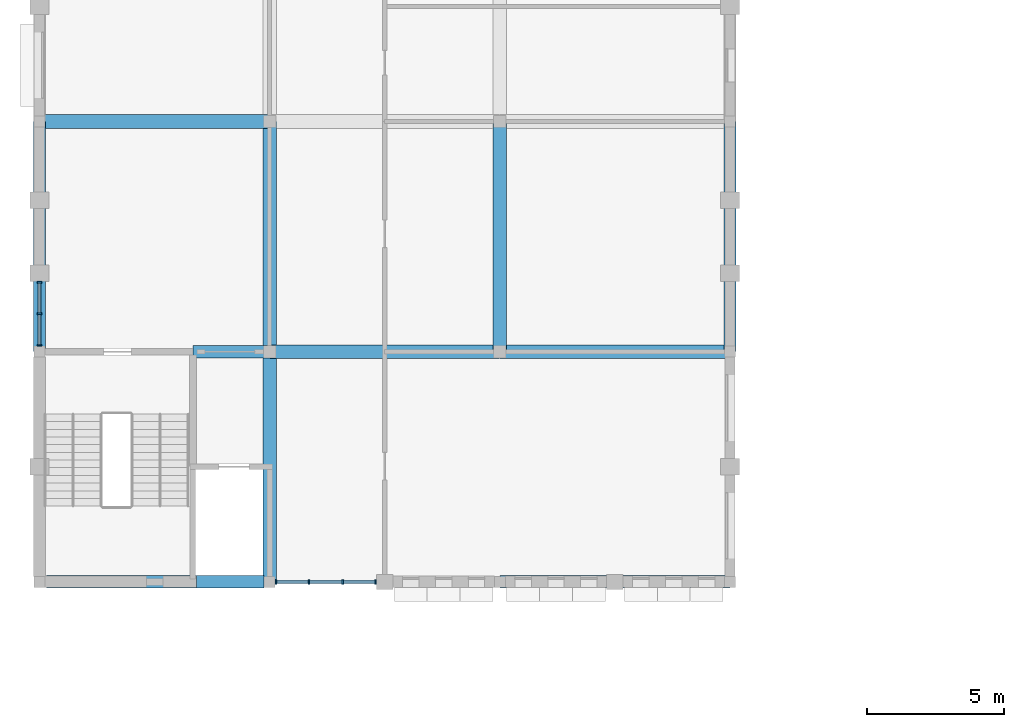
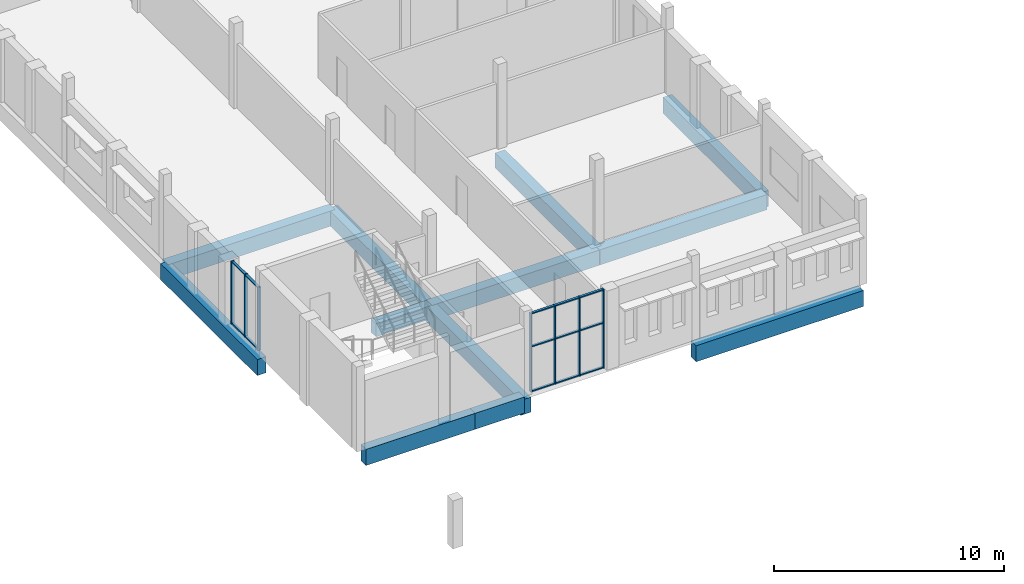
# One storey, part 3 of 30: 20 members, 12 beams, 2 elements without a shape of their own.
"""IFC4 building model written with IfcOpenShell, lengths in metres."""

from ifc_helpers import new_model, si_unit, direction, frame, origin, origin_2d, place, context, subcontext, project, spatial, rectangle, extrude, material, material_profile, profile_set, type_object, element, aggregate, save


model = new_model("IFC4")

# Units and contexts
model_context = context("Model", 3, precision=1e-05, world=origin(), true_north=direction((0.0, 1.0)))
body_context = subcontext(model_context, "Body", "Model", "MODEL_VIEW")
ifc_project = project(units=[si_unit("LENGTHUNIT", "METRE"), si_unit("AREAUNIT", "SQUARE_METRE"), si_unit("VOLUMEUNIT", "CUBIC_METRE"), si_unit("PLANEANGLEUNIT", "RADIAN"), si_unit("MASSUNIT", "GRAM", prefix="KILO")], contexts=[model_context])

# Site, building, storey
site_placement = place(None, origin())
site = spatial("IfcSite", under=ifc_project, at=site_placement, CompositionType="ELEMENT")
building_placement = place(site_placement, origin())
building = spatial("IfcBuilding", under=site, at=building_placement, Name="Fescue Hill Polytechnic", CompositionType="ELEMENT")
storey_placement = place(building_placement, frame((0.0, 0.0, 22.5)))
storey = spatial("IfcBuildingStorey", under=building, at=storey_placement, Name="L05", CompositionType="ELEMENT", Elevation=22.5)

# Beams
ifc_material_1 = material(Name="Concrete 35 MPa", Category="concrete")
ifc_material_profile_1 = material_profile(ifc_material_1, rectangle(XDim=0.449951171875, YDim=0.699951171875, at=origin_2d()), Name="RC 450x700")
ifc_profile_set_1 = profile_set([ifc_material_profile_1], Name="Concrete 35 MPa")
beam_type_1 = type_object("IfcBeamType", Name="Beam RC 450x700", PredefinedType="BEAM", material=ifc_profile_set_1)
beam_1_placement = place(storey_placement, frame((5.60009765625, 58.800048828125, -0.64990234375), z_axis=(1.0, 0.0, 0.0), x_axis=(0.0, 1.0, 0.0)))
element("IfcBeam", 1, at=beam_1_placement, inside=storey, type_object=beam_type_1, Name="BM-L05-0014", PredefinedType="BEAM", context=body_context, shape_type="SweptSolid", body=[
    extrude(rectangle(XDim=0.449951171875, YDim=0.699951171875, at=origin_2d()), origin(), (0.0, 0.0, 1.0), 2.789794921875),
])
ifc_material_profile_2 = material_profile(ifc_material_1, rectangle(XDim=0.449951171875, YDim=0.85009765625, at=origin_2d()), Name="RC 450x850")
ifc_profile_set_2 = profile_set([ifc_material_profile_2], Name="Concrete 35 MPa")
beam_type_2 = type_object("IfcBeamType", Name="Beam RC 450x850", PredefinedType="BEAM", material=ifc_profile_set_2)
for number, where, z_axis, x_axis, name in (
    (2, (0.0, 58.800048828125, -0.72509765625), (0.0, 1.0, 0.0), (-1.0, 0.0, 0.0), "BM-L05-0001"),
    (3, (16.800048828125, 50.39990234375, -0.72509765625), (1.0, 0.0, 0.0), (0.0, 1.0, 0.0), "BM-L05-0032"),
    (4, (25.199951171875, 58.800048828125, -0.72509765625), (0.0, 1.0, 0.0), (-1.0, 0.0, 0.0), "BM-L05-0051"),
):
    element("IfcBeam", number, at=place(storey_placement, frame(where, z_axis=z_axis, x_axis=x_axis)), inside=storey, type_object=beam_type_2, Name=name, PredefinedType="BEAM", context=body_context, shape_type="SweptSolid", body=[
        extrude(rectangle(XDim=0.449951171875, YDim=0.85009765625, at=origin_2d()), origin(), (0.0, 0.0, 1.0), 8.39990234375),
    ])
beam_2_placement = place(storey_placement, frame((0.25, 50.39990234375, -0.425048828125), z_axis=(1.0, 0.0, 0.0), x_axis=(0.0, 1.0, 0.0)))
element("IfcBeam", 5, at=beam_2_placement, inside=storey, type_object=beam_type_2, Name="BM-L05-0107", PredefinedType="BEAM", context=body_context, shape_type="SweptSolid", body=[
    extrude(rectangle(XDim=0.449951171875, YDim=0.85009765625, at=origin_2d()), origin(), (0.0, 0.0, 1.0), 5.47509765625),
])
beam_3_placement = place(storey_placement, frame((5.72509765625, 50.39990234375, -0.425048828125), z_axis=(1.0, 0.0, 0.0), x_axis=(0.0, 1.0, 0.0)))
element("IfcBeam", 6, at=beam_3_placement, inside=storey, type_object=beam_type_2, Name="BM-L05-0108", PredefinedType="BEAM", context=body_context, shape_type="SweptSolid", body=[
    extrude(rectangle(XDim=0.449951171875, YDim=0.85009765625, at=origin_2d()), origin(), (0.0, 0.0, 1.0), 2.474853515625),
])
ifc_material_profile_3 = material_profile(ifc_material_1, rectangle(XDim=0.5, YDim=0.800048828125, at=origin_2d()), Name="RC 500x800")
ifc_profile_set_3 = profile_set([ifc_material_profile_3], Name="Concrete 35 MPa")
beam_type_3 = type_object("IfcBeamType", Name="Beam RC 500x800", PredefinedType="BEAM", material=ifc_profile_set_3)
beam_4_placement = place(storey_placement, frame((0.010009765625, 67.199951171875, -0.699951171875), z_axis=(1.0, 0.0, 0.0), x_axis=(0.0, 1.0, 0.0)))
element("IfcBeam", 7, at=beam_4_placement, inside=storey, type_object=beam_type_3, Name="BM-L05-0008", PredefinedType="BEAM", context=body_context, shape_type="SweptSolid", body=[
    extrude(rectangle(XDim=0.5, YDim=0.800048828125, at=origin_2d()), origin(), (0.0, 0.0, 1.0), 8.3798828125),
])
beam_5_placement = place(storey_placement, frame((8.39990234375, 50.39990234375, -0.699951171875), z_axis=(0.0, 1.0, 0.0), x_axis=(-1.0, 0.0, 0.0)))
element("IfcBeam", 8, at=beam_5_placement, inside=storey, type_object=beam_type_3, Name="BM-L05-0016", PredefinedType="BEAM", context=body_context, shape_type="SweptSolid", body=[
    extrude(rectangle(XDim=0.5, YDim=0.800048828125, at=origin_2d()), origin(), (0.0, 0.0, 1.0), 8.400146484375),
])
beam_6_placement = place(storey_placement, frame((8.39990234375, 58.800048828125, -0.699951171875), z_axis=(0.0, 1.0, 0.0), x_axis=(-1.0, 0.0, 0.0)))
element("IfcBeam", 9, at=beam_6_placement, inside=storey, type_object=beam_type_3, Name="BM-L05-0017", PredefinedType="BEAM", context=body_context, shape_type="SweptSolid", body=[
    extrude(rectangle(XDim=0.5, YDim=0.800048828125, at=origin_2d()), origin(), (0.0, 0.0, 1.0), 8.39990234375),
])
beam_7_placement = place(storey_placement, frame((8.409912109375, 58.800048828125, -0.699951171875), z_axis=(1.0, 0.0, 0.0), x_axis=(0.0, 1.0, 0.0)))
element("IfcBeam", 10, at=beam_7_placement, inside=storey, type_object=beam_type_3, Name="BM-L05-0024", PredefinedType="BEAM", context=body_context, shape_type="SweptSolid", body=[
    extrude(rectangle(XDim=0.5, YDim=0.800048828125, at=origin_2d()), origin(), (0.0, 0.0, 1.0), 8.380126953125),
])
beam_8_placement = place(storey_placement, frame((16.800048828125, 58.800048828125, -0.699951171875), z_axis=(0.0, 1.0, 0.0), x_axis=(-1.0, 0.0, 0.0)))
element("IfcBeam", 11, at=beam_8_placement, inside=storey, type_object=beam_type_3, Name="BM-L05-0033", PredefinedType="BEAM", context=body_context, shape_type="SweptSolid", body=[
    extrude(rectangle(XDim=0.5, YDim=0.800048828125, at=origin_2d()), origin(), (0.0, 0.0, 1.0), 8.39990234375),
])
beam_9_placement = place(storey_placement, frame((16.81005859375, 58.800048828125, -0.699951171875), z_axis=(1.0, 0.0, 0.0), x_axis=(0.0, 1.0, 0.0)))
element("IfcBeam", 12, at=beam_9_placement, inside=storey, type_object=beam_type_3, Name="BM-L05-0043", PredefinedType="BEAM", context=body_context, shape_type="SweptSolid", body=[
    extrude(rectangle(XDim=0.5, YDim=0.800048828125, at=origin_2d()), origin(), (0.0, 0.0, 1.0), 8.3798828125),
])

# Curtain wall, members
ifc_material_2 = material(Name="Glass", Category="glass")
curtain_wall_type = type_object("IfcCurtainWallType", Name="Curtain wall structural glazing", PredefinedType="NOTDEFINED", material=ifc_material_2)
curtain_wall_1_placement = place(storey_placement, origin())
curtain_wall_1 = element("IfcCurtainWall", 13, at=curtain_wall_1_placement, inside=storey, type_object=curtain_wall_type, Name="CW-L05-V4-X1", PredefinedType="NOTDEFINED")
ifc_material_3 = material(Name="Powder-coated aluminium", Category="aluminium")
ifc_material_profile_4 = material_profile(ifc_material_3, rectangle(XDim=0.159912109375, YDim=0.06005859375, at=origin_2d()), Name="Mullion aluminium 60x160")
ifc_profile_set_4 = profile_set([ifc_material_profile_4], Name="Powder-coated aluminium")
member_type_1 = type_object("IfcMemberType", Name="Mullion aluminium 60x160", PredefinedType="MULLION", material=ifc_profile_set_4)
member_1_placement = place(storey_placement, frame((0.0, 61.336669921875, 0.0), z_axis=(0.0, 0.0, 1.0), x_axis=(1.0, 0.0, 0.0)))
member_1 = element("IfcMember", 14, at=member_1_placement, type_object=member_type_1, Name="CW125 mullion 1", PredefinedType="MULLION", context=body_context, shape_type="SweptSolid", body=[
    extrude(rectangle(XDim=0.159912109375, YDim=0.06005859375, at=origin_2d()), origin(), (0.0, 0.0, 1.0), 3.330078125),
])
member_2_placement = place(storey_placement, frame((0.0, 60.183349609375, 0.0), z_axis=(0.0, 0.0, 1.0), x_axis=(1.0, 0.0, 0.0)))
member_2 = element("IfcMember", 15, at=member_2_placement, type_object=member_type_1, Name="CW125 mullion 2", PredefinedType="MULLION", context=body_context, shape_type="SweptSolid", body=[
    extrude(rectangle(XDim=0.159912109375, YDim=0.06005859375, at=origin_2d()), origin(), (0.0, 0.0, 1.0), 3.330078125),
])
member_3_placement = place(storey_placement, frame((0.0, 59.030029296875, 0.0), z_axis=(0.0, 0.0, 1.0), x_axis=(1.0, 0.0, 0.0)))
member_3 = element("IfcMember", 16, at=member_3_placement, type_object=member_type_1, Name="CW125 mullion 3", PredefinedType="MULLION", context=body_context, shape_type="SweptSolid", body=[
    extrude(rectangle(XDim=0.159912109375, YDim=0.06005859375, at=origin_2d()), origin(), (0.0, 0.0, 1.0), 3.330078125),
])

curtain_wall_2_placement = place(storey_placement, origin())
curtain_wall_2 = element("IfcCurtainWall", 17, at=curtain_wall_2_placement, inside=storey, type_object=curtain_wall_type, Name="CW-L05-V4-X4", PredefinedType="NOTDEFINED")
member_4_placement = place(storey_placement, frame((8.6298828125, 50.39990234375, 0.0), z_axis=(0.0, 0.0, 1.0), x_axis=(0.0, 1.0, 0.0)))
member_4 = element("IfcMember", 18, at=member_4_placement, type_object=member_type_1, Name="CW143 mullion 1", PredefinedType="MULLION", context=body_context, shape_type="SweptSolid", body=[
    extrude(rectangle(XDim=0.159912109375, YDim=0.06005859375, at=origin_2d()), origin(), (0.0, 0.0, 1.0), 4.179931640625),
])
member_5_placement = place(storey_placement, frame((9.833251953125, 50.39990234375, 0.0), z_axis=(0.0, 0.0, 1.0), x_axis=(0.0, 1.0, 0.0)))
member_5 = element("IfcMember", 19, at=member_5_placement, type_object=member_type_1, Name="CW143 mullion 2", PredefinedType="MULLION", context=body_context, shape_type="SweptSolid", body=[
    extrude(rectangle(XDim=0.159912109375, YDim=0.06005859375, at=origin_2d()), origin(), (0.0, 0.0, 1.0), 4.179931640625),
])
member_6_placement = place(storey_placement, frame((11.066650390625, 50.39990234375, 0.0), z_axis=(0.0, 0.0, 1.0), x_axis=(0.0, 1.0, 0.0)))
member_6 = element("IfcMember", 20, at=member_6_placement, type_object=member_type_1, Name="CW143 mullion 3", PredefinedType="MULLION", context=body_context, shape_type="SweptSolid", body=[
    extrude(rectangle(XDim=0.159912109375, YDim=0.06005859375, at=origin_2d()), origin(), (0.0, 0.0, 1.0), 4.179931640625),
])
member_7_placement = place(storey_placement, frame((12.27001953125, 50.39990234375, 0.0), z_axis=(0.0, 0.0, 1.0), x_axis=(0.0, 1.0, 0.0)))
member_7 = element("IfcMember", 21, at=member_7_placement, type_object=member_type_1, Name="CW143 mullion 4", PredefinedType="MULLION", context=body_context, shape_type="SweptSolid", body=[
    extrude(rectangle(XDim=0.159912109375, YDim=0.06005859375, at=origin_2d()), origin(), (0.0, 0.0, 1.0), 4.179931640625),
])

# Member
ifc_material_profile_5 = material_profile(ifc_material_3, rectangle(XDim=0.1201171875, YDim=0.06005859375, at=origin_2d()), Name="Transom aluminium 60x120")
ifc_profile_set_5 = profile_set([ifc_material_profile_5], Name="Powder-coated aluminium")
member_type_2 = type_object("IfcMemberType", Name="Transom aluminium 60x120", PredefinedType="USERDEFINED", material=ifc_profile_set_5)
member_8_placement = place(storey_placement, frame((0.0, 61.306640625, 0.030029296875), z_axis=(0.0, -1.0, 0.0), x_axis=(1.0, 0.0, 0.0)))
member_8 = element("IfcMember", 22, at=member_8_placement, type_object=member_type_2, Name="CW125 transom 1.1", ObjectType="TRANSOM", PredefinedType="USERDEFINED", context=body_context, shape_type="SweptSolid", body=[
    extrude(rectangle(XDim=0.1201171875, YDim=0.06005859375, at=origin_2d()), origin(), (0.0, 0.0, 1.0), 1.09326171875),
])

member_9_placement = place(storey_placement, frame((0.0, 61.306640625, 3.300048828125), z_axis=(0.0, -1.0, 0.0), x_axis=(1.0, 0.0, 0.0)))
member_9 = element("IfcMember", 23, at=member_9_placement, type_object=member_type_2, Name="CW125 transom 1.2", ObjectType="TRANSOM", PredefinedType="USERDEFINED", context=body_context, shape_type="SweptSolid", body=[
    extrude(rectangle(XDim=0.1201171875, YDim=0.06005859375, at=origin_2d()), origin(), (0.0, 0.0, 1.0), 1.09326171875),
])

member_10_placement = place(storey_placement, frame((0.0, 60.1533203125, 0.030029296875), z_axis=(0.0, -1.0, 0.0), x_axis=(1.0, 0.0, 0.0)))
member_10 = element("IfcMember", 24, at=member_10_placement, type_object=member_type_2, Name="CW125 transom 2.1", ObjectType="TRANSOM", PredefinedType="USERDEFINED", context=body_context, shape_type="SweptSolid", body=[
    extrude(rectangle(XDim=0.1201171875, YDim=0.06005859375, at=origin_2d()), origin(), (0.0, 0.0, 1.0), 1.09326171875),
])

member_11_placement = place(storey_placement, frame((0.0, 60.1533203125, 3.300048828125), z_axis=(0.0, -1.0, 0.0), x_axis=(1.0, 0.0, 0.0)))
member_11 = element("IfcMember", 25, at=member_11_placement, type_object=member_type_2, Name="CW125 transom 2.2", ObjectType="TRANSOM", PredefinedType="USERDEFINED", context=body_context, shape_type="SweptSolid", body=[
    extrude(rectangle(XDim=0.1201171875, YDim=0.06005859375, at=origin_2d()), origin(), (0.0, 0.0, 1.0), 1.09326171875),
])

aggregate(curtain_wall_1, [member_1, member_2, member_3, member_8, member_9, member_10, member_11])

member_12_placement = place(storey_placement, frame((8.659912109375, 50.39990234375, 0.030029296875), z_axis=(1.0, 0.0, 0.0), x_axis=(0.0, 1.0, 0.0)))
member_12 = element("IfcMember", 26, at=member_12_placement, type_object=member_type_2, Name="CW143 transom 1.1", ObjectType="TRANSOM", PredefinedType="USERDEFINED", context=body_context, shape_type="SweptSolid", body=[
    extrude(rectangle(XDim=0.1201171875, YDim=0.06005859375, at=origin_2d()), origin(), (0.0, 0.0, 1.0), 1.143310546875),
])

member_13_placement = place(storey_placement, frame((8.659912109375, 50.39990234375, 2.39990234375), z_axis=(1.0, 0.0, 0.0), x_axis=(0.0, 1.0, 0.0)))
member_13 = element("IfcMember", 27, at=member_13_placement, type_object=member_type_2, Name="CW143 transom 1.2", ObjectType="TRANSOM", PredefinedType="USERDEFINED", context=body_context, shape_type="SweptSolid", body=[
    extrude(rectangle(XDim=0.1201171875, YDim=0.06005859375, at=origin_2d()), origin(), (0.0, 0.0, 1.0), 1.143310546875),
])

member_14_placement = place(storey_placement, frame((8.659912109375, 50.39990234375, 4.14990234375), z_axis=(1.0, 0.0, 0.0), x_axis=(0.0, 1.0, 0.0)))
member_14 = element("IfcMember", 28, at=member_14_placement, type_object=member_type_2, Name="CW143 transom 1.3", ObjectType="TRANSOM", PredefinedType="USERDEFINED", context=body_context, shape_type="SweptSolid", body=[
    extrude(rectangle(XDim=0.1201171875, YDim=0.06005859375, at=origin_2d()), origin(), (0.0, 0.0, 1.0), 1.143310546875),
])

member_15_placement = place(storey_placement, frame((9.86328125, 50.39990234375, 0.030029296875), z_axis=(1.0, 0.0, 0.0), x_axis=(0.0, 1.0, 0.0)))
member_15 = element("IfcMember", 29, at=member_15_placement, type_object=member_type_2, Name="CW143 transom 2.1", ObjectType="TRANSOM", PredefinedType="USERDEFINED", context=body_context, shape_type="SweptSolid", body=[
    extrude(rectangle(XDim=0.1201171875, YDim=0.06005859375, at=origin_2d()), origin(), (0.0, 0.0, 1.0), 1.17333984375),
])

member_16_placement = place(storey_placement, frame((9.86328125, 50.39990234375, 2.39990234375), z_axis=(1.0, 0.0, 0.0), x_axis=(0.0, 1.0, 0.0)))
member_16 = element("IfcMember", 30, at=member_16_placement, type_object=member_type_2, Name="CW143 transom 2.2", ObjectType="TRANSOM", PredefinedType="USERDEFINED", context=body_context, shape_type="SweptSolid", body=[
    extrude(rectangle(XDim=0.1201171875, YDim=0.06005859375, at=origin_2d()), origin(), (0.0, 0.0, 1.0), 1.17333984375),
])

member_17_placement = place(storey_placement, frame((9.86328125, 50.39990234375, 4.14990234375), z_axis=(1.0, 0.0, 0.0), x_axis=(0.0, 1.0, 0.0)))
member_17 = element("IfcMember", 31, at=member_17_placement, type_object=member_type_2, Name="CW143 transom 2.3", ObjectType="TRANSOM", PredefinedType="USERDEFINED", context=body_context, shape_type="SweptSolid", body=[
    extrude(rectangle(XDim=0.1201171875, YDim=0.06005859375, at=origin_2d()), origin(), (0.0, 0.0, 1.0), 1.17333984375),
])

member_18_placement = place(storey_placement, frame((11.0966796875, 50.39990234375, 0.030029296875), z_axis=(1.0, 0.0, 0.0), x_axis=(0.0, 1.0, 0.0)))
member_18 = element("IfcMember", 32, at=member_18_placement, type_object=member_type_2, Name="CW143 transom 3.1", ObjectType="TRANSOM", PredefinedType="USERDEFINED", context=body_context, shape_type="SweptSolid", body=[
    extrude(rectangle(XDim=0.1201171875, YDim=0.06005859375, at=origin_2d()), origin(), (0.0, 0.0, 1.0), 1.143310546875),
])

member_19_placement = place(storey_placement, frame((11.0966796875, 50.39990234375, 2.39990234375), z_axis=(1.0, 0.0, 0.0), x_axis=(0.0, 1.0, 0.0)))
member_19 = element("IfcMember", 33, at=member_19_placement, type_object=member_type_2, Name="CW143 transom 3.2", ObjectType="TRANSOM", PredefinedType="USERDEFINED", context=body_context, shape_type="SweptSolid", body=[
    extrude(rectangle(XDim=0.1201171875, YDim=0.06005859375, at=origin_2d()), origin(), (0.0, 0.0, 1.0), 1.143310546875),
])

member_20_placement = place(storey_placement, frame((11.0966796875, 50.39990234375, 4.14990234375), z_axis=(1.0, 0.0, 0.0), x_axis=(0.0, 1.0, 0.0)))
member_20 = element("IfcMember", 34, at=member_20_placement, type_object=member_type_2, Name="CW143 transom 3.3", ObjectType="TRANSOM", PredefinedType="USERDEFINED", context=body_context, shape_type="SweptSolid", body=[
    extrude(rectangle(XDim=0.1201171875, YDim=0.06005859375, at=origin_2d()), origin(), (0.0, 0.0, 1.0), 1.143310546875),
])

aggregate(curtain_wall_2, [member_4, member_5, member_6, member_7, member_12, member_13, member_14, member_15, member_16, member_17, member_18, member_19, member_20])

save(model, "model.ifc")
